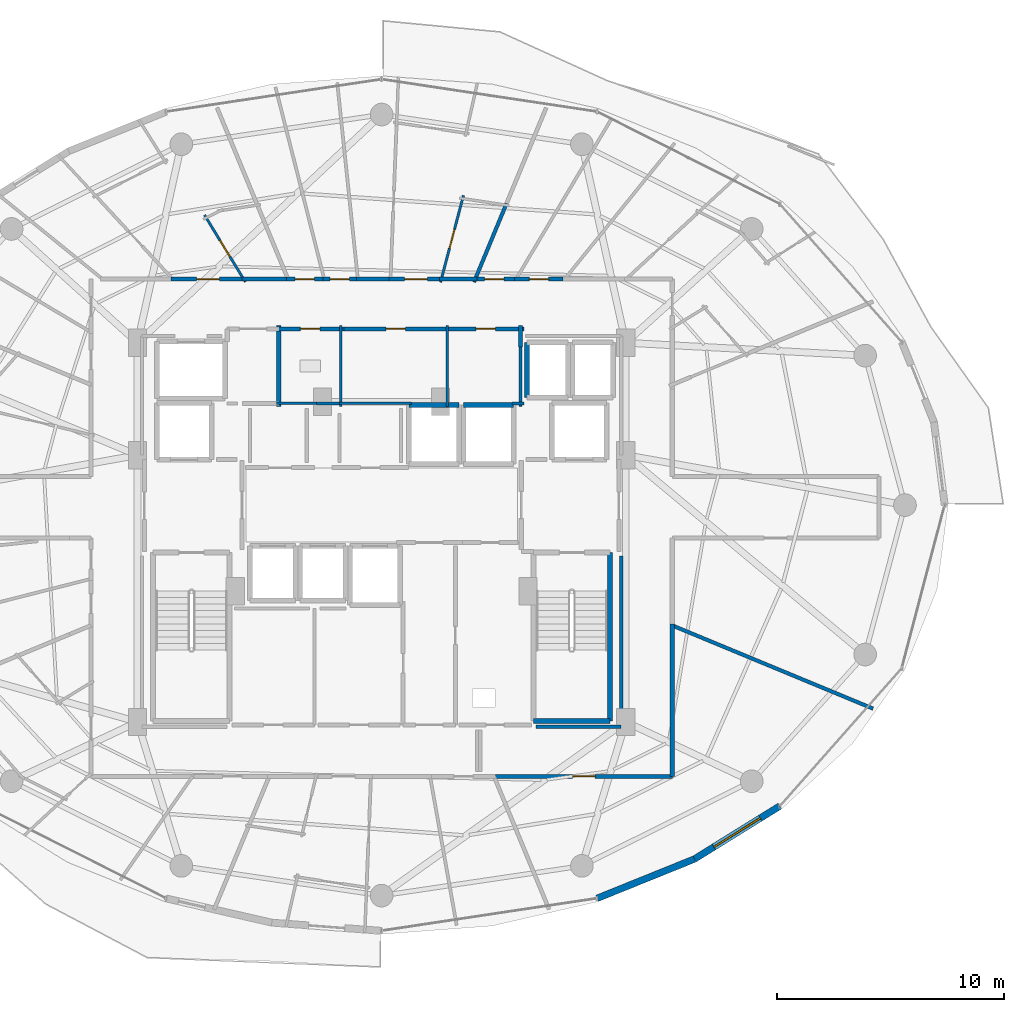
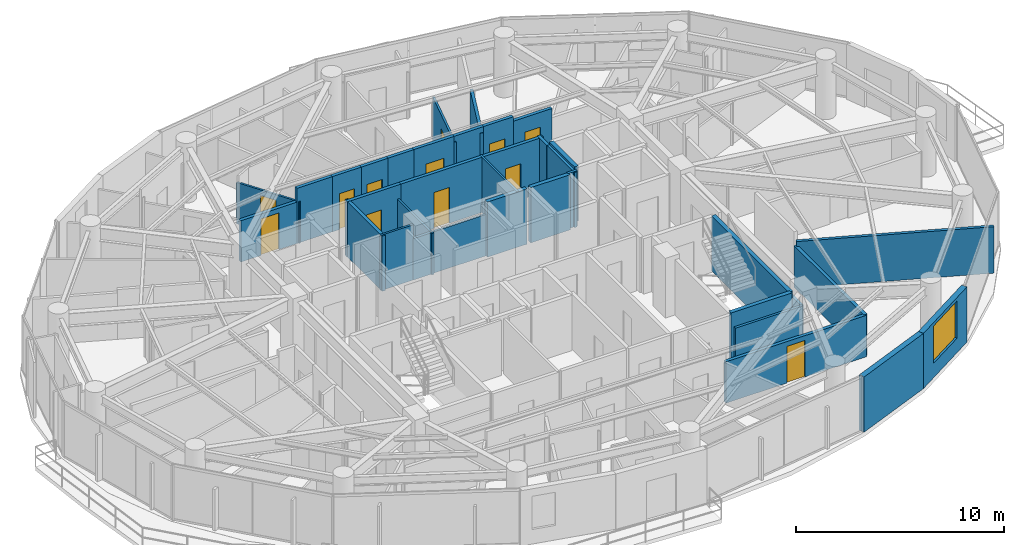
# One storey, part 23 of 28: 36 walls, 12 doors, 1 window, 13 openings.
"""IFC4 building model written with IfcOpenShell, lengths in metres."""

from ifc_helpers import new_model, si_unit, direction, frame, frame_2d, origin, place, context, subcontext, project, spatial, rectangle, extrude, material, layer, layer_set, type_object, element, fill, save


model = new_model("IFC4")

# Units and contexts
model_context = context("Model", 3, precision=1e-05, world=origin(), true_north=direction((0.0, 1.0)))
body_context = subcontext(model_context, "Body", "Model", "MODEL_VIEW")
ifc_project = project(units=[si_unit("LENGTHUNIT", "METRE"), si_unit("AREAUNIT", "SQUARE_METRE"), si_unit("VOLUMEUNIT", "CUBIC_METRE"), si_unit("PLANEANGLEUNIT", "RADIAN"), si_unit("MASSUNIT", "GRAM", prefix="KILO")], contexts=[model_context])

# Site, building, storey
site_placement = place(None, origin())
site = spatial("IfcSite", under=ifc_project, at=site_placement, CompositionType="ELEMENT")
building_placement = place(site_placement, origin())
building = spatial("IfcBuilding", under=site, at=building_placement, Name="Vorneva Point Tower", CompositionType="ELEMENT")
storey_placement = place(building_placement, frame((0.0, 0.0, 146.60009765625)))
storey = spatial("IfcBuildingStorey", under=building, at=storey_placement, Name="L39", CompositionType="ELEMENT", Elevation=146.60009765625)

# Wall
ifc_material_1 = material(Name="Precast concrete B50 (C40/50)", Category="concrete")
ifc_layer_1 = layer(ifc_material_1, 0.300048828125)
ifc_layer_set_1 = layer_set([ifc_layer_1], Name="Precast concrete B50 (C40/50)")
wall_type_1 = type_object("IfcWallType", Name="WL-EXT-300", PredefinedType="STANDARD", material=ifc_layer_set_1)
wall_1_placement = place(storey_placement, frame((47.490478515625, 8.67724609375, 0.0), z_axis=(0.0, 0.0, 1.0), x_axis=(0.927156504392, 0.374674280359, 0.0)))
element("IfcWall", 1, at=wall_1_placement, inside=storey, type_object=wall_type_1, Name="L39 Pale-Metal Facade Spandrel Wall 14.1", PredefinedType="STANDARD", context=body_context, shape_type="SweptSolid", body=[
    extrude(rectangle(XDim=4.62451171875, YDim=0.300048828125, at=frame_2d((2.312255859375, 0.0))), origin(), (0.0, 0.0, 1.0), 3.239990234375),
])

# Wall, opening, window
wall_2_placement = place(storey_placement, frame((51.778076171875, 10.409912109375, 0.0), z_axis=(0.0, 0.0, 1.0), x_axis=(0.849721181976, 0.527232313977, 0.0)))
wall_2 = element("IfcWall", 2, at=wall_2_placement, inside=storey, type_object=wall_type_1, Name="L39 Pale-Metal Facade Spandrel Wall 14.2", PredefinedType="STANDARD", context=body_context, shape_type="SweptSolid", body=[
    extrude(rectangle(XDim=4.422607421875, YDim=0.300048828125, at=frame_2d((2.21142578125, 0.0))), origin(), (0.0, 0.0, 1.0), 3.239990234375),
])
opening_1_placement = place(wall_2_placement, frame((1.011474609375, 0.0, 0.85009765625)))
opening_1 = element("IfcOpeningElement", 3, at=opening_1_placement, cuts=wall_2, Name="Opening W-03", PredefinedType="OPENING", context=body_context, shape_type="SweptSolid", body=[
    extrude(rectangle(XDim=2.39990234375, YDim=2.18994140625, at=frame_2d((1.199951171875, 1.094970703125))), frame((0.0, 0.1650390625, 0.0), z_axis=(0.0, -1.0, 0.0), x_axis=(1.0, 0.0, 0.0)), (0.0, 0.0, 1.0), 0.329833984375),
])
ifc_material_2 = material(Name="Double low-e laminated glass IGU", Category="glass")
window_type = type_object("IfcWindowType", Name="WN-RES-2400", PartitioningType="SINGLE_PANEL", PredefinedType="WINDOW", material=ifc_material_2)
window_placement = place(opening_1_placement, origin())
window = element("IfcWindow", 4, at=window_placement, inside=storey, type_object=window_type, Name="L39 Facade Window 14", OverallHeight=2.18994140625, OverallWidth=2.39990234375, PartitioningType="SINGLE_PANEL", PredefinedType="WINDOW", context=body_context, shape_type="SweptSolid", body=[
    extrude(rectangle(XDim=2.39990234375, YDim=2.18994140625, at=frame_2d((1.199951171875, 1.094970703125))), frame((0.0, 0.030029296875, 0.0), z_axis=(0.0, -1.0, 0.0), x_axis=(1.0, 0.0, 0.0)), (0.0, 0.0, 1.0), 0.06005859375),
])
fill(opening_1, window)

# Walls
ifc_material_3 = material(Name="Fire-rated acoustic gypsum stud partition", Category="gypsum")
ifc_layer_2 = layer(ifc_material_3, 0.110107421875)
ifc_layer_set_2 = layer_set([ifc_layer_2], Name="Fire-rated acoustic gypsum stud partition")
wall_type_2 = type_object("IfcWallType", Name="WL-PART-110", PredefinedType="PARTITIONING", material=ifc_layer_set_2)
wall_3_placement = place(storey_placement, frame((36.199951171875, 30.340087890625, 0.0), z_axis=(0.0, 0.0, 1.0), x_axis=(0.0, 1.0, 0.0)))
element("IfcWall", 5, at=wall_3_placement, inside=storey, type_object=wall_type_2, Name="L39 Interior Partition 018", PredefinedType="PARTITIONING", context=body_context, shape_type="SweptSolid", body=[
    extrude(rectangle(XDim=3.559814453125, YDim=0.110107421875, at=frame_2d((1.77978515625, 0.0))), origin(), (0.0, 0.0, 1.0), 2.431884765625),
])
wall_4_placement = place(storey_placement, frame((33.360107421875, 30.47998046875, 0.0), z_axis=(0.0, 0.0, 1.0), x_axis=(1.0, 0.0, 0.0)))
element("IfcWall", 6, at=wall_4_placement, inside=storey, type_object=wall_type_2, Name="L39 Interior Partition 019", PredefinedType="PARTITIONING", context=body_context, shape_type="SweptSolid", body=[
    extrude(rectangle(XDim=1.809814453125, YDim=0.110107421875, at=frame_2d((0.90478515625, 0.0))), origin(), (0.0, 0.0, 1.0), 3.239990234375),
])
wall_5_placement = place(storey_placement, frame((40.89990234375, 30.340087890625, 0.0), z_axis=(0.0, 0.0, 1.0), x_axis=(0.0, 1.0, 0.0)))
element("IfcWall", 7, at=wall_5_placement, inside=storey, type_object=wall_type_2, Name="L39 Interior Partition 021", PredefinedType="PARTITIONING", context=body_context, shape_type="SweptSolid", body=[
    extrude(rectangle(XDim=3.559814453125, YDim=0.110107421875, at=frame_2d((1.77978515625, 0.0))), origin(), (0.0, 0.0, 1.0), 3.239990234375),
])
wall_6_placement = place(storey_placement, frame((36.110107421875, 30.47998046875, 0.0), z_axis=(0.0, 0.0, 1.0), x_axis=(1.0, 0.0, 0.0)))
element("IfcWall", 8, at=wall_6_placement, inside=storey, type_object=wall_type_2, Name="L39 Interior Partition 022", PredefinedType="PARTITIONING", context=body_context, shape_type="SweptSolid", body=[
    extrude(rectangle(XDim=3.2099609375, YDim=0.110107421875, at=frame_2d((1.60498046875, 0.0))), origin(), (0.0, 0.0, 1.0), 2.431884765625),
])

# Wall, opening, door
wall_7_placement = place(storey_placement, frame((40.59423828125, 35.814697265625, 0.0), z_axis=(0.0, 0.0, 1.0), x_axis=(0.255512094359, 0.966805859331, 0.0)))
wall_7 = element("IfcWall", 9, at=wall_7_placement, inside=storey, type_object=wall_type_2, Name="L39 Interior Partition 082", PredefinedType="PARTITIONING", context=body_context, shape_type="SweptSolid", body=[
    extrude(rectangle(XDim=3.950927734375, YDim=0.110107421875, at=frame_2d((1.9755859375, 0.0))), origin(), (0.0, 0.0, 1.0), 2.921875),
])
opening_2_placement = place(wall_7_placement, frame((1.550537109375, 0.0, 0.0)))
opening_2 = element("IfcOpeningElement", 10, at=opening_2_placement, cuts=wall_7, Name="Opening ID-02", PredefinedType="OPENING", context=body_context, shape_type="SweptSolid", body=[
    extrude(rectangle(XDim=0.85009765625, YDim=2.10009765625, at=frame_2d((0.425048828125, 1.050048828125))), frame((0.0, 0.06982421875, 0.0), z_axis=(0.0, -1.0, 0.0), x_axis=(1.0, 0.0, 0.0)), (0.0, 0.0, 1.0), 0.139892578125),
])
ifc_material_4 = material(Name="Engineered oak fire-rated door leaf", Category="wood")
door_type_1 = type_object("IfcDoorType", Name="DR-BATH-850", OperationType="NOTDEFINED", PredefinedType="DOOR", material=ifc_material_4)
door_1_placement = place(opening_2_placement, origin())
door_1 = element("IfcDoor", 11, at=door_1_placement, inside=storey, type_object=door_type_1, Name="L39 Door Living and Dining Room L39-02 / Bathroom L39-02", OperationType="SINGLE_SWING_RIGHT", OverallHeight=2.10009765625, OverallWidth=0.85009765625, PredefinedType="DOOR", context=body_context, shape_type="SweptSolid", body=[
    extrude(rectangle(XDim=0.85009765625, YDim=2.10009765625, at=frame_2d((0.425048828125, 1.050048828125))), frame((0.0, 0.02490234375, 0.0), z_axis=(0.0, -1.0, 0.0), x_axis=(1.0, 0.0, 0.0)), (0.0, 0.0, 1.0), 0.050048828125),
])
fill(opening_2, door_1)

wall_8_placement = place(storey_placement, frame((31.9970703125, 35.83056640625, 0.0), z_axis=(0.0, 0.0, 1.0), x_axis=(-0.521220733209, 0.853421904613, 0.0)))
wall_8 = element("IfcWall", 12, at=wall_8_placement, inside=storey, type_object=wall_type_2, Name="L39 Interior Partition 092", PredefinedType="PARTITIONING", context=body_context, shape_type="SweptSolid", body=[
    extrude(rectangle(XDim=3.446044921875, YDim=0.110107421875, at=frame_2d((1.72314453125, 0.0))), origin(), (0.0, 0.0, 1.0), 2.431884765625),
])
opening_3_placement = place(wall_8_placement, frame((1.298095703125, 0.0, 0.0)))
opening_3 = element("IfcOpeningElement", 13, at=opening_3_placement, cuts=wall_8, Name="Opening ID-02", PredefinedType="OPENING", context=body_context, shape_type="SweptSolid", body=[
    extrude(rectangle(XDim=0.85009765625, YDim=2.10009765625, at=frame_2d((0.425048828125, 1.050048828125))), frame((0.0, 0.06982421875, 0.0), z_axis=(0.0, -1.0, 0.0), x_axis=(1.0, 0.0, 0.0)), (0.0, 0.0, 1.0), 0.139892578125),
])
door_2_placement = place(opening_3_placement, origin())
door_2 = element("IfcDoor", 14, at=door_2_placement, inside=storey, type_object=door_type_1, Name="L39 Door Living and Dining Room L39-03 / Bathroom L39-03", OperationType="SINGLE_SWING_LEFT", OverallHeight=2.10009765625, OverallWidth=0.85009765625, PredefinedType="DOOR", context=body_context, shape_type="SweptSolid", body=[
    extrude(rectangle(XDim=0.85009765625, YDim=2.10009765625, at=frame_2d((0.425048828125, 1.050048828125))), frame((0.0, 0.02490234375, 0.0), z_axis=(0.0, -1.0, 0.0), x_axis=(1.0, 0.0, 0.0)), (0.0, 0.0, 1.0), 0.050048828125),
])
fill(opening_3, door_2)

# Walls
ifc_layer_3 = layer(ifc_material_3, 0.139892578125)
ifc_layer_set_3 = layer_set([ifc_layer_3], Name="Fire-rated acoustic gypsum stud partition")
wall_type_3 = type_object("IfcWallType", Name="WL-PART-140", PredefinedType="PARTITIONING", material=ifc_layer_set_3)
wall_9_placement = place(storey_placement, frame((35.139892578125, 30.47998046875, 0.0), z_axis=(0.0, 0.0, 1.0), x_axis=(1.0, 0.0, 0.0)))
element("IfcWall", 15, at=wall_9_placement, inside=storey, type_object=wall_type_3, Name="L39 Interior Closure Partition 137", PredefinedType="PARTITIONING", context=body_context, shape_type="SweptSolid", body=[
    extrude(rectangle(XDim=1.0, YDim=0.139892578125, at=frame_2d((0.5, 0.0))), origin(), (0.0, 0.0, 1.0), 2.431884765625),
])
wall_10_placement = place(storey_placement, frame((43.735107421875, 30.47998046875, 0.0), z_axis=(0.0, 0.0, 1.0), x_axis=(1.0, 0.0, 0.0)))
element("IfcWall", 16, at=wall_10_placement, inside=storey, type_object=wall_type_3, Name="L39 Interior Closure Partition 138", PredefinedType="PARTITIONING", context=body_context, shape_type="SweptSolid", body=[
    extrude(rectangle(XDim=0.52490234375, YDim=0.139892578125, at=frame_2d((0.262451171875, 0.0))), origin(), (0.0, 0.0, 1.0), 3.239990234375),
])
wall_11_placement = place(storey_placement, frame((44.1201171875, 30.340087890625, 0.0), z_axis=(0.0, 0.0, 1.0), x_axis=(0.0, 1.0, 0.0)))
element("IfcWall", 17, at=wall_11_placement, inside=storey, type_object=wall_type_3, Name="L39 Interior Closure Partition 139", PredefinedType="PARTITIONING", context=body_context, shape_type="SweptSolid", body=[
    extrude(rectangle(XDim=2.659912109375, YDim=0.139892578125, at=frame_2d((1.330078125, 0.0))), origin(), (0.0, 0.0, 1.0), 3.239990234375),
])
wall_12_placement = place(storey_placement, frame((48.550048828125, 16.239990234375, 0.0), z_axis=(0.0, 0.0, 1.0), x_axis=(0.0, 1.0, 0.0)))
element("IfcWall", 18, at=wall_12_placement, inside=storey, type_object=wall_type_3, Name="L39 Interior Closure Partition 146", PredefinedType="PARTITIONING", context=body_context, shape_type="SweptSolid", body=[
    extrude(rectangle(XDim=7.513916015625, YDim=0.139892578125, at=frame_2d((3.7568359375, 0.0))), origin(), (0.0, 0.0, 1.0), 2.431884765625),
])
wall_13_placement = place(storey_placement, frame((44.804931640625, 16.239990234375, 0.0), z_axis=(0.0, 0.0, 1.0), x_axis=(1.0, 0.0, 0.0)))
element("IfcWall", 19, at=wall_13_placement, inside=storey, type_object=wall_type_3, Name="L39 Interior Closure Partition 156", PredefinedType="PARTITIONING", context=body_context, shape_type="SweptSolid", body=[
    extrude(rectangle(XDim=3.7451171875, YDim=0.139892578125, at=frame_2d((1.87255859375, 0.0))), origin(), (0.0, 0.0, 1.0), 2.431884765625),
])
ifc_layer_4 = layer(ifc_material_3, 0.159912109375)
ifc_layer_set_4 = layer_set([ifc_layer_4], Name="Fire-rated acoustic gypsum stud partition")
wall_type_4 = type_object("IfcWallType", Name="WL-PART-160", PredefinedType="PARTITIONING", material=ifc_layer_set_4)
wall_14_placement = place(storey_placement, frame((43.502685546875, 39.285400390625, 0.0), z_axis=(0.0, 0.0, 1.0), x_axis=(-0.382733183699, -0.923858923265, 0.0)))
element("IfcWall", 20, at=wall_14_placement, inside=storey, type_object=wall_type_4, Name="L39 Interior Partition 081", PredefinedType="PARTITIONING", context=body_context, shape_type="SweptSolid", body=[
    extrude(rectangle(XDim=3.750244140625, YDim=0.159912109375, at=frame_2d((1.875, 0.0))), origin(), (0.0, 0.0, 1.0), 2.921875),
])
wall_15_placement = place(storey_placement, frame((59.64501953125, 17.034912109375, 0.0), z_axis=(0.0, 0.0, 1.0), x_axis=(-0.923902460479, 0.382628074665, 0.0)))
element("IfcWall", 21, at=wall_15_placement, inside=storey, type_object=wall_type_4, Name="L39 Interior Partition 133", PredefinedType="PARTITIONING", context=body_context, shape_type="SweptSolid", body=[
    extrude(rectangle(XDim=9.573486328125, YDim=0.159912109375, at=frame_2d((4.78662109375, 0.0))), origin(), (0.0, 0.0, 1.0), 2.727783203125),
])
ifc_material_5 = material(Name="Autoclaved aerated concrete blockwork", Category="masonry")
ifc_layer_5 = layer(ifc_material_5, 0.179931640625)
ifc_layer_set_5 = layer_set([ifc_layer_5], Name="Autoclaved aerated concrete blockwork")
wall_type_5 = type_object("IfcWallType", Name="WL-PART-180", PredefinedType="PARTITIONING", material=ifc_layer_set_5)
wall_16_placement = place(storey_placement, frame((33.469970703125, 30.340087890625, 0.0), z_axis=(0.0, 0.0, 1.0), x_axis=(0.0, 1.0, 0.0)))
element("IfcWall", 22, at=wall_16_placement, inside=storey, type_object=wall_type_5, Name="L39 Interior Partition 006", PredefinedType="PARTITIONING", context=body_context, shape_type="SweptSolid", body=[
    extrude(rectangle(XDim=3.559814453125, YDim=0.179931640625, at=frame_2d((1.77978515625, 0.0))), origin(), (0.0, 0.0, 1.0), 3.239990234375),
])

# Wall, opening, door
wall_17_placement = place(storey_placement, frame((36.340087890625, 33.760009765625, 0.0), z_axis=(0.0, 0.0, 1.0), x_axis=(-1.0, 0.0, 0.0)))
wall_17 = element("IfcWall", 23, at=wall_17_placement, inside=storey, type_object=wall_type_5, Name="L39 Interior Partition 020", PredefinedType="PARTITIONING", context=body_context, shape_type="SweptSolid", body=[
    extrude(rectangle(XDim=2.97998046875, YDim=0.179931640625, at=frame_2d((1.489990234375, 0.0))), origin(), (0.0, 0.0, 1.0), 3.239990234375),
])
opening_4_placement = place(wall_17_placement, frame((1.06494140625, 0.0, 0.0)))
opening_4 = element("IfcOpeningElement", 24, at=opening_4_placement, cuts=wall_17, Name="Opening ID-02", PredefinedType="OPENING", context=body_context, shape_type="SweptSolid", body=[
    extrude(rectangle(XDim=0.85009765625, YDim=2.10009765625, at=frame_2d((0.425048828125, 1.050048828125))), frame((0.0, 0.10498046875, 0.0), z_axis=(0.0, -1.0, 0.0), x_axis=(1.0, 0.0, 0.0)), (0.0, 0.0, 1.0), 0.209716796875),
])
door_3_placement = place(opening_4_placement, origin())
door_3 = element("IfcDoor", 25, at=door_3_placement, inside=storey, type_object=door_type_1, Name="L39 Door Public Male WC / L39 Circulation Corridor", OperationType="SINGLE_SWING_RIGHT", OverallHeight=2.10009765625, OverallWidth=0.85009765625, PredefinedType="DOOR", context=body_context, shape_type="SweptSolid", body=[
    extrude(rectangle(XDim=0.85009765625, YDim=2.10009765625, at=frame_2d((0.425048828125, 1.050048828125))), frame((0.0, 0.02490234375, 0.0), z_axis=(0.0, -1.0, 0.0), x_axis=(1.0, 0.0, 0.0)), (0.0, 0.0, 1.0), 0.050048828125),
])
fill(opening_4, door_3)

wall_18_placement = place(storey_placement, frame((41.0400390625, 33.760009765625, 0.0), z_axis=(0.0, 0.0, 1.0), x_axis=(-1.0, 0.0, 0.0)))
wall_18 = element("IfcWall", 26, at=wall_18_placement, inside=storey, type_object=wall_type_5, Name="L39 Interior Partition 023", PredefinedType="PARTITIONING", context=body_context, shape_type="SweptSolid", body=[
    extrude(rectangle(XDim=4.840087890625, YDim=0.179931640625, at=frame_2d((2.419921875, 0.0))), origin(), (0.0, 0.0, 1.0), 3.239990234375),
])
opening_5_placement = place(wall_18_placement, frame((1.9951171875, 0.0, 0.0)))
opening_5 = element("IfcOpeningElement", 27, at=opening_5_placement, cuts=wall_18, Name="Opening ID-02", PredefinedType="OPENING", context=body_context, shape_type="SweptSolid", body=[
    extrude(rectangle(XDim=0.85009765625, YDim=2.10009765625, at=frame_2d((0.425048828125, 1.050048828125))), frame((0.0, 0.10498046875, 0.0), z_axis=(0.0, -1.0, 0.0), x_axis=(1.0, 0.0, 0.0)), (0.0, 0.0, 1.0), 0.209716796875),
])
door_4_placement = place(opening_5_placement, origin())
door_4 = element("IfcDoor", 28, at=door_4_placement, inside=storey, type_object=door_type_1, Name="L39 Door Public Female WC / L39 Circulation Corridor", OperationType="SINGLE_SWING_LEFT", OverallHeight=2.10009765625, OverallWidth=0.85009765625, PredefinedType="DOOR", context=body_context, shape_type="SweptSolid", body=[
    extrude(rectangle(XDim=0.85009765625, YDim=2.10009765625, at=frame_2d((0.425048828125, 1.050048828125))), frame((0.0, 0.02490234375, 0.0), z_axis=(0.0, -1.0, 0.0), x_axis=(1.0, 0.0, 0.0)), (0.0, 0.0, 1.0), 0.050048828125),
])
fill(opening_5, door_4)

wall_19_placement = place(storey_placement, frame((44.260009765625, 33.760009765625, 0.0), z_axis=(0.0, 0.0, 1.0), x_axis=(-1.0, 0.0, 0.0)))
wall_19 = element("IfcWall", 29, at=wall_19_placement, inside=storey, type_object=wall_type_5, Name="L39 Interior Partition 024", PredefinedType="PARTITIONING", context=body_context, shape_type="SweptSolid", body=[
    extrude(rectangle(XDim=3.360107421875, YDim=0.179931640625, at=frame_2d((1.68017578125, 0.0))), origin(), (0.0, 0.0, 1.0), 3.239990234375),
])
opening_6_placement = place(wall_19_placement, frame((1.2548828125, 0.0, 0.0)))
opening_6 = element("IfcOpeningElement", 30, at=opening_6_placement, cuts=wall_19, Name="Opening ID-02", PredefinedType="OPENING", context=body_context, shape_type="SweptSolid", body=[
    extrude(rectangle(XDim=0.85009765625, YDim=2.10009765625, at=frame_2d((0.425048828125, 1.050048828125))), frame((0.0, 0.10498046875, 0.0), z_axis=(0.0, -1.0, 0.0), x_axis=(1.0, 0.0, 0.0)), (0.0, 0.0, 1.0), 0.209716796875),
])
door_5_placement = place(opening_6_placement, origin())
door_5 = element("IfcDoor", 31, at=door_5_placement, inside=storey, type_object=door_type_1, Name="L39 Door Accessible WC / L39 Circulation Corridor", OperationType="SINGLE_SWING_RIGHT", OverallHeight=2.10009765625, OverallWidth=0.85009765625, PredefinedType="DOOR", context=body_context, shape_type="SweptSolid", body=[
    extrude(rectangle(XDim=0.85009765625, YDim=2.10009765625, at=frame_2d((0.425048828125, 1.050048828125))), frame((0.0, 0.02490234375, 0.0), z_axis=(0.0, -1.0, 0.0), x_axis=(1.0, 0.0, 0.0)), (0.0, 0.0, 1.0), 0.050048828125),
])
fill(opening_6, door_5)

# Wall
wall_20_placement = place(storey_placement, frame((44.1201171875, 32.969970703125, 0.0), z_axis=(0.0, 0.0, 1.0), x_axis=(0.0, 1.0, 0.0)))
element("IfcWall", 32, at=wall_20_placement, inside=storey, type_object=wall_type_5, Name="L39 Interior Partition 025", PredefinedType="PARTITIONING", context=body_context, shape_type="SweptSolid", body=[
    extrude(rectangle(XDim=0.929931640625, YDim=0.179931640625, at=frame_2d((0.46484375, 0.0))), origin(), (0.0, 0.0, 1.0), 3.239990234375),
])

# Wall, opening, door
wall_21_placement = place(storey_placement, frame((45.9970703125, 35.949951171875, 0.0), z_axis=(0.0, 0.0, 1.0), x_axis=(-1.0, 0.0, 0.0)))
wall_21 = element("IfcWall", 33, at=wall_21_placement, inside=storey, type_object=wall_type_5, Name="L39 Interior Partition 033", PredefinedType="PARTITIONING", context=body_context, shape_type="SweptSolid", body=[
    extrude(rectangle(XDim=2.136962890625, YDim=0.179931640625, at=frame_2d((1.068359375, 0.0))), origin(), (0.0, 0.0, 1.0), 2.971923828125),
])
opening_7_placement = place(wall_21_placement, frame((0.6435546875, 0.0, 0.0)))
opening_7 = element("IfcOpeningElement", 34, at=opening_7_placement, cuts=wall_21, Name="Opening ID-02", PredefinedType="OPENING", context=body_context, shape_type="SweptSolid", body=[
    extrude(rectangle(XDim=0.85009765625, YDim=2.10009765625, at=frame_2d((0.425048828125, 1.050048828125))), frame((0.0, 0.10498046875, 0.0), z_axis=(0.0, -1.0, 0.0), x_axis=(1.0, 0.0, 0.0)), (0.0, 0.0, 1.0), 0.209716796875),
])
door_6_placement = place(opening_7_placement, origin())
door_6 = element("IfcDoor", 35, at=door_6_placement, inside=storey, type_object=door_type_1, Name="L39 Access Door L39 Circulation Corridor", OperationType="SINGLE_SWING_LEFT", OverallHeight=2.10009765625, OverallWidth=0.85009765625, PredefinedType="DOOR", context=body_context, shape_type="SweptSolid", body=[
    extrude(rectangle(XDim=0.85009765625, YDim=2.10009765625, at=frame_2d((0.425048828125, 1.050048828125))), frame((0.0, 0.02490234375, 0.0), z_axis=(0.0, -1.0, 0.0), x_axis=(1.0, 0.0, 0.0)), (0.0, 0.0, 1.0), 0.050048828125),
])
fill(opening_7, door_6)

wall_22_placement = place(storey_placement, frame((43.860107421875, 35.949951171875, 0.0), z_axis=(0.0, 0.0, 1.0), x_axis=(-1.0, 0.0, 0.0)))
wall_22 = element("IfcWall", 36, at=wall_22_placement, inside=storey, type_object=wall_type_5, Name="L39 Interior Partition 034", PredefinedType="PARTITIONING", context=body_context, shape_type="SweptSolid", body=[
    extrude(rectangle(XDim=1.799072265625, YDim=0.179931640625, at=frame_2d((0.8994140625, 0.0))), origin(), (0.0, 0.0, 1.0), 3.239990234375),
])
opening_8_placement = place(wall_22_placement, frame((0.474609375, 0.0, 0.0)))
opening_8 = element("IfcOpeningElement", 37, at=opening_8_placement, cuts=wall_22, Name="Opening ID-02", PredefinedType="OPENING", context=body_context, shape_type="SweptSolid", body=[
    extrude(rectangle(XDim=0.85009765625, YDim=2.10009765625, at=frame_2d((0.425048828125, 1.050048828125))), frame((0.0, 0.10498046875, 0.0), z_axis=(0.0, -1.0, 0.0), x_axis=(1.0, 0.0, 0.0)), (0.0, 0.0, 1.0), 0.209716796875),
])
door_7_placement = place(opening_8_placement, origin())
door_7 = element("IfcDoor", 38, at=door_7_placement, inside=storey, type_object=door_type_1, Name="L39 Access Door L39 Circulation Corridor", OperationType="SINGLE_SWING_RIGHT", OverallHeight=2.10009765625, OverallWidth=0.85009765625, PredefinedType="DOOR", context=body_context, shape_type="SweptSolid", body=[
    extrude(rectangle(XDim=0.85009765625, YDim=2.10009765625, at=frame_2d((0.425048828125, 1.050048828125))), frame((0.0, 0.02490234375, 0.0), z_axis=(0.0, -1.0, 0.0), x_axis=(1.0, 0.0, 0.0)), (0.0, 0.0, 1.0), 0.050048828125),
])
fill(opening_8, door_7)

wall_23_placement = place(storey_placement, frame((40.69189453125, 35.949951171875, 0.0), z_axis=(0.0, 0.0, 1.0), x_axis=(-1.0, 0.0, 0.0)))
wall_23 = element("IfcWall", 39, at=wall_23_placement, inside=storey, type_object=wall_type_5, Name="L39 Interior Partition 035", PredefinedType="PARTITIONING", context=body_context, shape_type="SweptSolid", body=[
    extrude(rectangle(XDim=2.36083984375, YDim=0.179931640625, at=frame_2d((1.180419921875, 0.0))), origin(), (0.0, 0.0, 1.0), 3.239990234375),
])
opening_9_placement = place(wall_23_placement, frame((0.680419921875, 0.0, 0.0)))
opening_9 = element("IfcOpeningElement", 40, at=opening_9_placement, cuts=wall_23, Name="Opening UD-01", PredefinedType="OPENING", context=body_context, shape_type="SweptSolid", body=[
    extrude(rectangle(XDim=1.0, YDim=2.14990234375, at=frame_2d((0.5, 1.074951171875))), frame((0.0, 0.10498046875, 0.0), z_axis=(0.0, -1.0, 0.0), x_axis=(1.0, 0.0, 0.0)), (0.0, 0.0, 1.0), 0.209716796875),
])
door_type_2 = type_object("IfcDoorType", Name="DR-UNIT-1000", OperationType="NOTDEFINED", PredefinedType="DOOR", material=ifc_material_4)
door_8_placement = place(opening_9_placement, origin())
door_8 = element("IfcDoor", 41, at=door_8_placement, inside=storey, type_object=door_type_2, Name="L39 Door L39 Circulation Corridor / Living and Dining Room L39-02", OperationType="SINGLE_SWING_RIGHT", OverallHeight=2.14990234375, OverallWidth=1.0, PredefinedType="DOOR", context=body_context, shape_type="SweptSolid", body=[
    extrude(rectangle(XDim=1.0, YDim=2.14990234375, at=frame_2d((0.5, 1.074951171875))), frame((0.0, 0.02490234375, 0.0), z_axis=(0.0, -1.0, 0.0), x_axis=(1.0, 0.0, 0.0)), (0.0, 0.0, 1.0), 0.050048828125),
])
fill(opening_9, door_8)

# Walls
wall_24_placement = place(storey_placement, frame((42.200927734375, 35.949951171875, 0.0), z_axis=(0.0, 0.0, 1.0), x_axis=(-1.0, 0.0, 0.0)))
element("IfcWall", 42, at=wall_24_placement, inside=storey, type_object=wall_type_5, Name="L39 Interior Partition 036", PredefinedType="PARTITIONING", context=body_context, shape_type="SweptSolid", body=[
    extrude(rectangle(XDim=1.64892578125, YDim=0.179931640625, at=frame_2d((0.824462890625, 0.0))), origin(), (0.0, 0.0, 1.0), 3.239990234375),
])
wall_25_placement = place(storey_placement, frame((38.3310546875, 35.949951171875, 0.0), z_axis=(0.0, 0.0, 1.0), x_axis=(-1.0, 0.0, 0.0)))
element("IfcWall", 43, at=wall_25_placement, inside=storey, type_object=wall_type_5, Name="L39 Interior Partition 037", PredefinedType="PARTITIONING", context=body_context, shape_type="SweptSolid", body=[
    extrude(rectangle(XDim=1.43701171875, YDim=0.179931640625, at=frame_2d((0.718505859375, 0.0))), origin(), (0.0, 0.0, 1.0), 3.239990234375),
])

# Wall, opening, door
wall_26_placement = place(storey_placement, frame((36.89404296875, 35.949951171875, 0.0), z_axis=(0.0, 0.0, 1.0), x_axis=(-1.0, 0.0, 0.0)))
wall_26 = element("IfcWall", 44, at=wall_26_placement, inside=storey, type_object=wall_type_5, Name="L39 Interior Partition 038", PredefinedType="PARTITIONING", context=body_context, shape_type="SweptSolid", body=[
    extrude(rectangle(XDim=1.483154296875, YDim=0.179931640625, at=frame_2d((0.74169921875, 0.0))), origin(), (0.0, 0.0, 1.0), 3.239990234375),
])
opening_10_placement = place(wall_26_placement, frame((0.31640625, 0.0, 0.0)))
opening_10 = element("IfcOpeningElement", 45, at=opening_10_placement, cuts=wall_26, Name="Opening ID-02", PredefinedType="OPENING", context=body_context, shape_type="SweptSolid", body=[
    extrude(rectangle(XDim=0.85009765625, YDim=2.10009765625, at=frame_2d((0.425048828125, 1.050048828125))), frame((0.0, 0.10498046875, 0.0), z_axis=(0.0, -1.0, 0.0), x_axis=(1.0, 0.0, 0.0)), (0.0, 0.0, 1.0), 0.209716796875),
])
door_9_placement = place(opening_10_placement, origin())
door_9 = element("IfcDoor", 46, at=door_9_placement, inside=storey, type_object=door_type_1, Name="L39 Access Door L39 Circulation Corridor", OperationType="SINGLE_SWING_LEFT", OverallHeight=2.10009765625, OverallWidth=0.85009765625, PredefinedType="DOOR", context=body_context, shape_type="SweptSolid", body=[
    extrude(rectangle(XDim=0.85009765625, YDim=2.10009765625, at=frame_2d((0.425048828125, 1.050048828125))), frame((0.0, 0.02490234375, 0.0), z_axis=(0.0, -1.0, 0.0), x_axis=(1.0, 0.0, 0.0)), (0.0, 0.0, 1.0), 0.050048828125),
])
fill(opening_10, door_9)

wall_27_placement = place(storey_placement, frame((35.410888671875, 35.949951171875, 0.0), z_axis=(0.0, 0.0, 1.0), x_axis=(-1.0, 0.0, 0.0)))
wall_27 = element("IfcWall", 47, at=wall_27_placement, inside=storey, type_object=wall_type_5, Name="L39 Interior Partition 039", PredefinedType="PARTITIONING", context=body_context, shape_type="SweptSolid", body=[
    extrude(rectangle(XDim=1.596923828125, YDim=0.179931640625, at=frame_2d((0.79833984375, 0.0))), origin(), (0.0, 0.0, 1.0), 3.239990234375),
])
opening_11_placement = place(wall_27_placement, frame((0.37353515625, 0.0, 0.0)))
opening_11 = element("IfcOpeningElement", 48, at=opening_11_placement, cuts=wall_27, Name="Opening ID-02", PredefinedType="OPENING", context=body_context, shape_type="SweptSolid", body=[
    extrude(rectangle(XDim=0.85009765625, YDim=2.10009765625, at=frame_2d((0.425048828125, 1.050048828125))), frame((0.0, 0.10498046875, 0.0), z_axis=(0.0, -1.0, 0.0), x_axis=(1.0, 0.0, 0.0)), (0.0, 0.0, 1.0), 0.209716796875),
])
door_10_placement = place(opening_11_placement, origin())
door_10 = element("IfcDoor", 49, at=door_10_placement, inside=storey, type_object=door_type_1, Name="L39 Access Door L39 Circulation Corridor", OperationType="SINGLE_SWING_RIGHT", OverallHeight=2.10009765625, OverallWidth=0.85009765625, PredefinedType="DOOR", context=body_context, shape_type="SweptSolid", body=[
    extrude(rectangle(XDim=0.85009765625, YDim=2.10009765625, at=frame_2d((0.425048828125, 1.050048828125))), frame((0.0, 0.02490234375, 0.0), z_axis=(0.0, -1.0, 0.0), x_axis=(1.0, 0.0, 0.0)), (0.0, 0.0, 1.0), 0.050048828125),
])
fill(opening_11, door_10)

wall_28_placement = place(storey_placement, frame((31.98388671875, 35.949951171875, 0.0), z_axis=(0.0, 0.0, 1.0), x_axis=(-1.0, 0.0, 0.0)))
wall_28 = element("IfcWall", 50, at=wall_28_placement, inside=storey, type_object=wall_type_5, Name="L39 Interior Partition 040", PredefinedType="PARTITIONING", context=body_context, shape_type="SweptSolid", body=[
    extrude(rectangle(XDim=3.263916015625, YDim=0.179931640625, at=frame_2d((1.6318359375, 0.0))), origin(), (0.0, 0.0, 1.0), 2.431884765625),
])
opening_12_placement = place(wall_28_placement, frame((1.132080078125, 0.0, 0.0)))
opening_12 = element("IfcOpeningElement", 51, at=opening_12_placement, cuts=wall_28, Name="Opening UD-01", PredefinedType="OPENING", context=body_context, shape_type="SweptSolid", body=[
    extrude(rectangle(XDim=1.0, YDim=2.14990234375, at=frame_2d((0.5, 1.074951171875))), frame((0.0, 0.10498046875, 0.0), z_axis=(0.0, -1.0, 0.0), x_axis=(1.0, 0.0, 0.0)), (0.0, 0.0, 1.0), 0.209716796875),
])
door_11_placement = place(opening_12_placement, origin())
door_11 = element("IfcDoor", 52, at=door_11_placement, inside=storey, type_object=door_type_2, Name="L39 Door L39 Circulation Corridor / Living and Dining Room L39-03", OperationType="SINGLE_SWING_LEFT", OverallHeight=2.14990234375, OverallWidth=1.0, PredefinedType="DOOR", context=body_context, shape_type="SweptSolid", body=[
    extrude(rectangle(XDim=1.0, YDim=2.14990234375, at=frame_2d((0.5, 1.074951171875))), frame((0.0, 0.02490234375, 0.0), z_axis=(0.0, -1.0, 0.0), x_axis=(1.0, 0.0, 0.0)), (0.0, 0.0, 1.0), 0.050048828125),
])
fill(opening_12, door_11)

# Wall
wall_29_placement = place(storey_placement, frame((33.9541015625, 35.949951171875, 0.0), z_axis=(0.0, 0.0, 1.0), x_axis=(-1.0, 0.0, 0.0)))
element("IfcWall", 53, at=wall_29_placement, inside=storey, type_object=wall_type_5, Name="L39 Interior Partition 041", PredefinedType="PARTITIONING", context=body_context, shape_type="SweptSolid", body=[
    extrude(rectangle(XDim=2.110107421875, YDim=0.179931640625, at=frame_2d((1.05517578125, 0.0))), origin(), (0.0, 0.0, 1.0), 3.239990234375),
])

# Wall, opening, door
wall_30_placement = place(storey_placement, frame((43.014892578125, 14.050048828125, 0.0), z_axis=(0.0, 0.0, 1.0), x_axis=(1.0, 0.0, 0.0)))
wall_30 = element("IfcWall", 54, at=wall_30_placement, inside=storey, type_object=wall_type_5, Name="L39 Interior Partition 061", PredefinedType="PARTITIONING", context=body_context, shape_type="SweptSolid", body=[
    extrude(rectangle(XDim=7.78515625, YDim=0.179931640625, at=frame_2d((3.892578125, 0.0))), origin(), (0.0, 0.0, 1.0), 2.431884765625),
])
opening_13_placement = place(wall_30_placement, frame((3.392578125, 0.0, 0.0)))
opening_13 = element("IfcOpeningElement", 55, at=opening_13_placement, cuts=wall_30, Name="Opening UD-01", PredefinedType="OPENING", context=body_context, shape_type="SweptSolid", body=[
    extrude(rectangle(XDim=1.0, YDim=2.14990234375, at=frame_2d((0.5, 1.074951171875))), frame((0.0, 0.10498046875, 0.0), z_axis=(0.0, -1.0, 0.0), x_axis=(1.0, 0.0, 0.0)), (0.0, 0.0, 1.0), 0.209716796875),
])
door_12_placement = place(opening_13_placement, origin())
door_12 = element("IfcDoor", 56, at=door_12_placement, inside=storey, type_object=door_type_2, Name="L39 Door L39 Circulation Corridor / Residents Co-Working Office L39-07", OperationType="SINGLE_SWING_LEFT", OverallHeight=2.14990234375, OverallWidth=1.0, PredefinedType="DOOR", context=body_context, shape_type="SweptSolid", body=[
    extrude(rectangle(XDim=1.0, YDim=2.14990234375, at=frame_2d((0.5, 1.074951171875))), frame((0.0, 0.02490234375, 0.0), z_axis=(0.0, -1.0, 0.0), x_axis=(1.0, 0.0, 0.0)), (0.0, 0.0, 1.0), 0.050048828125),
])
fill(opening_13, door_12)

# Walls
wall_31_placement = place(storey_placement, frame((50.800048828125, 14.050048828125, 0.0), z_axis=(0.0, 0.0, 1.0), x_axis=(0.0, 1.0, 0.0)))
element("IfcWall", 57, at=wall_31_placement, inside=storey, type_object=wall_type_5, Name="L39 Interior Partition 062", PredefinedType="PARTITIONING", context=body_context, shape_type="SweptSolid", body=[
    extrude(rectangle(XDim=6.7080078125, YDim=0.179931640625, at=frame_2d((3.35400390625, 0.0))), origin(), (0.0, 0.0, 1.0), 2.431884765625),
])
ifc_material_6 = material(Name="Concrete B50 (C40/50)", Category="concrete")
ifc_layer_6 = layer(ifc_material_6, 0.219970703125)
ifc_layer_set_6 = layer_set([ifc_layer_6], Name="Concrete B50 (C40/50)")
wall_type_6 = type_object("IfcWallType", Name="WL-SHFT-220", PredefinedType="SOLIDWALL", material=ifc_layer_set_6)
wall_32_placement = place(storey_placement, frame((48.06005859375, 23.909912109375, 0.0), z_axis=(0.0, 0.0, 1.0), x_axis=(0.0, -1.0, 0.0)))
element("IfcWall", 58, at=wall_32_placement, inside=storey, type_object=wall_type_6, Name="L39 Exit Stair ST2 Shaft Wall right", PredefinedType="SOLIDWALL", context=body_context, shape_type="SweptSolid", body=[
    extrude(rectangle(XDim=7.419921875, YDim=0.219970703125, at=frame_2d((3.7099609375, 0.0))), origin(), (0.0, 0.0, 1.0), 3.239990234375),
])
wall_33_placement = place(storey_placement, frame((48.06005859375, 16.489990234375, 0.0), z_axis=(0.0, 0.0, 1.0), x_axis=(-1.0, 0.0, 0.0)))
element("IfcWall", 59, at=wall_33_placement, inside=storey, type_object=wall_type_6, Name="L39 Exit Stair ST2 Shaft Wall far", PredefinedType="SOLIDWALL", context=body_context, shape_type="SweptSolid", body=[
    extrude(rectangle(XDim=3.3701171875, YDim=0.219970703125, at=frame_2d((1.68505859375, 0.0))), origin(), (0.0, 0.0, 1.0), 3.239990234375),
])
for number, where, z_axis, x_axis, name in (
    (60, (41.39990234375, 30.39990234375, 0.0), (0.0, 0.0, 1.0), (-1.0, 0.0, 0.0), "L39 Lift PL7 Shaft Wall +Y"),
    (61, (43.800048828125, 30.39990234375, 0.0), (0.0, 0.0, 1.0), (-1.0, 0.0, 0.0), "L39 Lift PL8 Shaft Wall +Y"),
):
    element("IfcWall", number, at=place(storey_placement, frame(where, z_axis=z_axis, x_axis=x_axis)), inside=storey, type_object=wall_type_6, Name=name, PredefinedType="SOLIDWALL", context=body_context, shape_type="SweptSolid", body=[
        extrude(rectangle(XDim=2.199951171875, YDim=0.219970703125, at=frame_2d((1.10009765625, 0.0))), origin(), (0.0, 0.0, 1.0), 3.239990234375),
    ])
wall_34_placement = place(storey_placement, frame((44.39990234375, 33.159912109375, 0.0), z_axis=(0.0, 0.0, 1.0), x_axis=(0.0, -1.0, 0.0)))
element("IfcWall", 62, at=wall_34_placement, inside=storey, type_object=wall_type_6, Name="L39 Lift EX1 Shaft Wall -X", PredefinedType="SOLIDWALL", context=body_context, shape_type="SweptSolid", body=[
    extrude(rectangle(XDim=2.419921875, YDim=0.219970703125, at=frame_2d((1.2099609375, 0.0))), origin(), (0.0, 0.0, 1.0), 3.239990234375),
])

save(model, "model.ifc")
